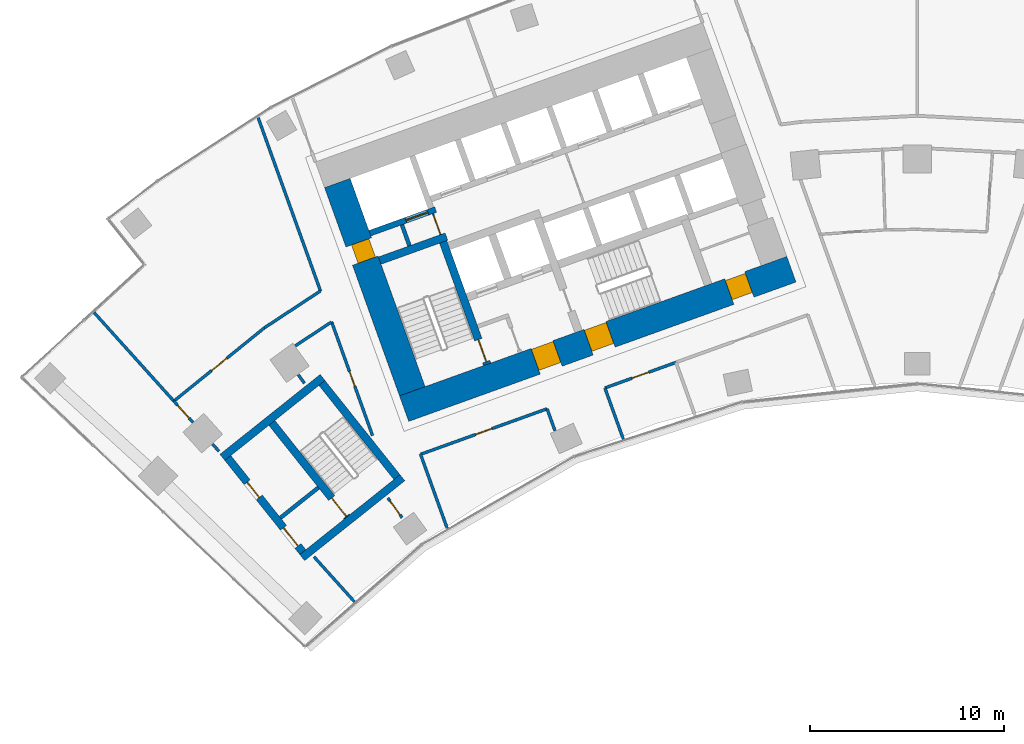
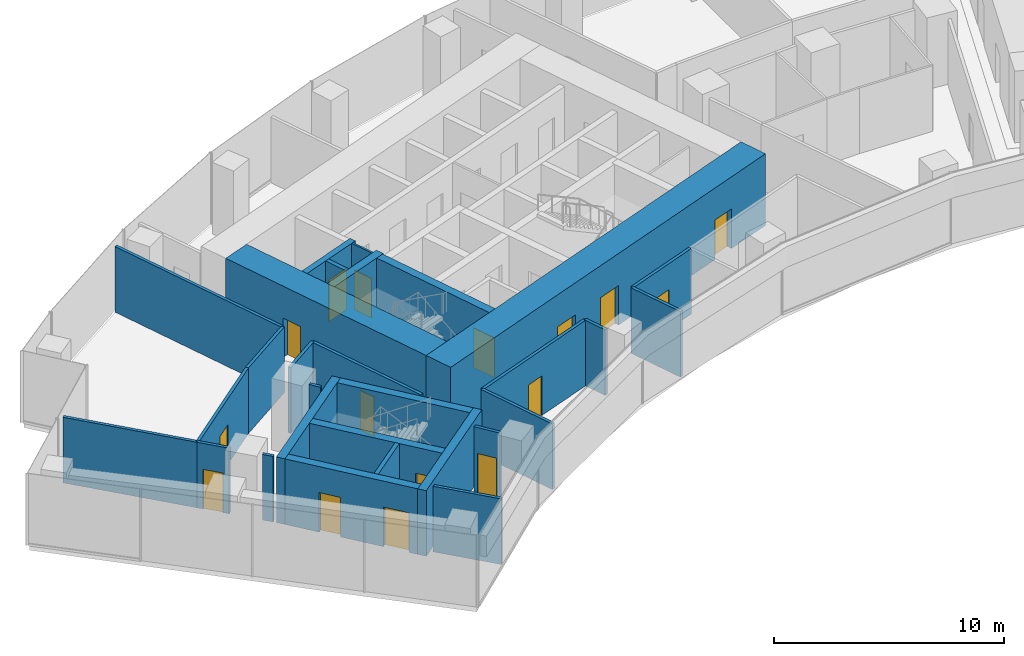
# One storey, part 12 of 19: 29 walls, 16 doors, 16 openings.
"""IFC4 building model written with IfcOpenShell, lengths in metres."""

from ifc_helpers import new_model, si_unit, direction, frame, frame_2d, origin, place, context, subcontext, project, spatial, rectangle, extrude, material, layer, layer_set, type_object, element, fill, save


model = new_model("IFC4")

# Units and contexts
model_context = context("Model", 3, precision=1e-05, world=origin(), true_north=direction((0.0, 1.0)))
body_context = subcontext(model_context, "Body", "Model", "MODEL_VIEW")
ifc_project = project(units=[si_unit("LENGTHUNIT", "METRE"), si_unit("AREAUNIT", "SQUARE_METRE"), si_unit("VOLUMEUNIT", "CUBIC_METRE"), si_unit("PLANEANGLEUNIT", "RADIAN"), si_unit("MASSUNIT", "GRAM", prefix="KILO")], contexts=[model_context])

# Site, building, storey
site_placement = place(None, origin())
site = spatial("IfcSite", under=ifc_project, at=site_placement, CompositionType="ELEMENT")
building_placement = place(site_placement, origin())
building = spatial("IfcBuilding", under=site, at=building_placement, Name="Stone Belt Terrace Tower", CompositionType="ELEMENT")
storey_placement = place(building_placement, frame((0.0, 0.0, 128.800048828125)))
storey = spatial("IfcBuildingStorey", under=building, at=storey_placement, Name="L31", CompositionType="ELEMENT", Elevation=128.800048828125)

# Wall, opening, door
ifc_material_1 = material(Name="Plasterboard partition")
ifc_layer_1 = layer(ifc_material_1, 0.10009765625)
ifc_layer_set_1 = layer_set([ifc_layer_1], Name="Core partition 100")
wall_type_1 = type_object("IfcWallType", Name="Core partition 100", PredefinedType="PARTITIONING", material=ifc_layer_set_1)
wall_1_placement = place(storey_placement, frame((-24.555908203125, 51.10400390625, 0.0), z_axis=(0.0, 0.0, 1.0), x_axis=(-0.338621735342, 0.94092258999, 0.0)))
wall_1 = element("IfcWall", 1, at=wall_1_placement, inside=storey, type_object=wall_type_1, Name="Core A wall", PredefinedType="PARTITIONING", context=body_context, shape_type="SweptSolid", body=[
    extrude(rectangle(XDim=1.14990234375, YDim=0.10009765625, at=frame_2d((0.574951171875, 0.0))), origin(), (0.0, 0.0, 1.0), 3.47998046875),
])
opening_1_placement = place(wall_1_placement, frame((0.050048828125, 0.0, 0.0)))
opening_1 = element("IfcOpeningElement", 2, at=opening_1_placement, cuts=wall_1, Name="Opening L31-C02", PredefinedType="OPENING", context=body_context, shape_type="SweptSolid", body=[
    extrude(rectangle(XDim=1.0, YDim=2.10009765625, at=frame_2d((0.5, 1.050048828125))), frame((0.0, 0.06005859375, 0.0), z_axis=(0.0, -1.0, 0.0), x_axis=(1.0, 0.0, 0.0)), (0.0, 0.0, 1.0), 0.1201171875),
])
ifc_material_2 = material(Name="Timber door leaf", Category="wood")
door_type_1 = type_object("IfcDoorType", Name="Core room door 1000", OperationType="SINGLE_SWING_LEFT", PredefinedType="DOOR", material=ifc_material_2)
door_1_placement = place(opening_1_placement, origin())
door_1 = element("IfcDoor", 3, at=door_1_placement, inside=storey, type_object=door_type_1, Name="Service lift lobby door core A", OperationType="SINGLE_SWING_LEFT", OverallHeight=2.10009765625, OverallWidth=1.0, PredefinedType="DOOR", context=body_context, shape_type="SweptSolid", body=[
    extrude(rectangle(XDim=1.0, YDim=2.10009765625, at=frame_2d((0.5, 1.050048828125))), frame((0.0, 0.02490234375, 0.0), z_axis=(0.0, -1.0, 0.0), x_axis=(1.0, 0.0, 0.0)), (0.0, 0.0, 1.0), 0.050048828125),
])
fill(opening_1, door_1)

# Wall, openings, doors
ifc_material_3 = material(Name="Concrete B80", Category="concrete")
ifc_layer_2 = layer(ifc_material_3, 1.39990234375)
ifc_layer_set_2 = layer_set([ifc_layer_2], Name="Core wall 1400 B80")
wall_type_2 = type_object("IfcWallType", Name="Core wall 1400 B80", PredefinedType="SHEAR", material=ifc_layer_set_2)
wall_2_placement = place(storey_placement, frame((-26.430908203125, 42.139404296875, 0.0), z_axis=(0.0, 0.0, 1.0), x_axis=(0.940923374003, 0.33861955681, 0.0)))
wall_2 = element("IfcWall", 4, at=wall_2_placement, inside=storey, type_object=wall_type_2, Name="Core A wall concave L31", PredefinedType="SHEAR", context=body_context, shape_type="SweptSolid", body=[
    extrude(rectangle(XDim=21.199951171875, YDim=1.39990234375, at=frame_2d((10.60009765625, 0.0))), origin(), (0.0, 0.0, 1.0), 3.800048828125),
])
opening_2_placement = place(wall_2_placement, frame((7.199951171875, 0.0, 0.0)))
opening_2 = element("IfcOpeningElement", 5, at=opening_2_placement, cuts=wall_2, Name="Opening L31-C07", PredefinedType="OPENING", context=body_context, shape_type="SweptSolid", body=[
    extrude(rectangle(XDim=1.199951171875, YDim=2.10009765625, at=frame_2d((0.60009765625, 1.050048828125))), frame((0.0, 0.7099609375, 0.0), z_axis=(0.0, -1.0, 0.0), x_axis=(1.0, 0.0, 0.0)), (0.0, 0.0, 1.0), 1.419921875),
])
opening_3_placement = place(wall_2_placement, frame((10.099853515625, 0.0, 0.0)))
opening_3 = element("IfcOpeningElement", 6, at=opening_3_placement, cuts=wall_2, Name="Opening L31-C09", PredefinedType="OPENING", context=body_context, shape_type="SweptSolid", body=[
    extrude(rectangle(XDim=1.199951171875, YDim=2.10009765625, at=frame_2d((0.60009765625, 1.050048828125))), frame((0.0, 0.7099609375, 0.0), z_axis=(0.0, -1.0, 0.0), x_axis=(1.0, 0.0, 0.0)), (0.0, 0.0, 1.0), 1.419921875),
])
opening_4_placement = place(wall_2_placement, frame((17.800048828125, 0.0, 0.0)))
opening_4 = element("IfcOpeningElement", 7, at=opening_4_placement, cuts=wall_2, Name="Opening L31-C11", PredefinedType="OPENING", context=body_context, shape_type="SweptSolid", body=[
    extrude(rectangle(XDim=1.10009765625, YDim=2.10009765625, at=frame_2d((0.550048828125, 1.050048828125))), frame((0.0, 0.7099609375, 0.0), z_axis=(0.0, -1.0, 0.0), x_axis=(1.0, 0.0, 0.0)), (0.0, 0.0, 1.0), 1.419921875),
])
door_type_2 = type_object("IfcDoorType", Name="Core room door 1100", OperationType="SINGLE_SWING_LEFT", PredefinedType="DOOR", material=ifc_material_2)
door_2_placement = place(opening_4_placement, origin())
door_2 = element("IfcDoor", 8, at=door_2_placement, inside=storey, type_object=door_type_2, Name="Door to Cleaner's store core A", OperationType="SINGLE_SWING_LEFT", OverallHeight=2.10009765625, OverallWidth=1.10009765625, PredefinedType="DOOR", context=body_context, shape_type="SweptSolid", body=[
    extrude(rectangle(XDim=1.10009765625, YDim=2.10009765625, at=frame_2d((0.550048828125, 1.050048828125))), frame((0.0, 0.60498046875, 0.0), z_axis=(0.0, -1.0, 0.0), x_axis=(1.0, 0.0, 0.0)), (0.0, 0.0, 1.0), 1.050048828125),
])
fill(opening_4, door_2)
ifc_material_4 = material(Name="Steel door leaf", Category="steel")
door_type_3 = type_object("IfcDoorType", Name="Fire-fighting lobby door 1200", OperationType="SINGLE_SWING_LEFT", PredefinedType="DOOR", material=ifc_material_4)
door_3_placement = place(opening_2_placement, origin())
door_3 = element("IfcDoor", 9, at=door_3_placement, inside=storey, type_object=door_type_3, Name="Fire-fighting lobby door core A", OperationType="SINGLE_SWING_LEFT", OverallHeight=2.10009765625, OverallWidth=1.199951171875, PredefinedType="DOOR", context=body_context, shape_type="SweptSolid", body=[
    extrude(rectangle(XDim=1.199951171875, YDim=2.10009765625, at=frame_2d((0.60009765625, 1.050048828125))), frame((0.0, 0.655029296875, 0.0), z_axis=(0.0, -1.0, 0.0), x_axis=(1.0, 0.0, 0.0)), (0.0, 0.0, 1.0), 1.14990234375),
])
fill(opening_2, door_3)
door_type_4 = type_object("IfcDoorType", Name="Stair door 1200", OperationType="SINGLE_SWING_LEFT", PredefinedType="DOOR", material=ifc_material_4)
door_4_placement = place(opening_3_placement, origin())
door_4 = element("IfcDoor", 10, at=door_4_placement, inside=storey, type_object=door_type_4, Name="Stair 2 exit door core A", OperationType="SINGLE_SWING_RIGHT", OverallHeight=2.10009765625, OverallWidth=1.199951171875, PredefinedType="DOOR", context=body_context, shape_type="SweptSolid", body=[
    extrude(rectangle(XDim=1.199951171875, YDim=2.10009765625, at=frame_2d((0.60009765625, 1.050048828125))), frame((0.0, 0.655029296875, 0.0), z_axis=(0.0, -1.0, 0.0), x_axis=(1.0, 0.0, 0.0)), (0.0, 0.0, 1.0), 1.14990234375),
])
fill(opening_3, door_4)

# Wall, opening, door
wall_3_placement = place(storey_placement, frame((-26.00927734375, 43.03515625, 0.0), z_axis=(0.0, 0.0, 1.0), x_axis=(-0.338625431531, 0.940921259788, 0.0)))
wall_3 = element("IfcWall", 11, at=wall_3_placement, inside=storey, type_object=wall_type_2, Name="Core A wall end_a L31", PredefinedType="SHEAR", context=body_context, shape_type="SweptSolid", body=[
    extrude(rectangle(XDim=11.400146484375, YDim=1.39990234375, at=frame_2d((5.7001953125, 0.0))), origin(), (0.0, 0.0, 1.0), 3.800048828125),
])
opening_5_placement = place(wall_3_placement, frame((7.14990234375, 0.0, 0.0)))
opening_5 = element("IfcOpeningElement", 12, at=opening_5_placement, cuts=wall_3, Name="Opening L31-C01", PredefinedType="OPENING", context=body_context, shape_type="SweptSolid", body=[
    extrude(rectangle(XDim=1.0, YDim=2.10009765625, at=frame_2d((0.5, 1.050048828125))), frame((0.0, 0.7099609375, 0.0), z_axis=(0.0, -1.0, 0.0), x_axis=(1.0, 0.0, 0.0)), (0.0, 0.0, 1.0), 1.419921875),
])
door_5_placement = place(opening_5_placement, origin())
door_5 = element("IfcDoor", 13, at=door_5_placement, inside=storey, type_object=door_type_1, Name="Door to Telecommunications riser room core A", OperationType="SINGLE_SWING_RIGHT", OverallHeight=2.10009765625, OverallWidth=1.0, PredefinedType="DOOR", context=body_context, shape_type="SweptSolid", body=[
    extrude(rectangle(XDim=1.0, YDim=2.10009765625, at=frame_2d((0.5, 1.050048828125))), frame((0.0, 0.39501953125, 0.0), z_axis=(0.0, -1.0, 0.0), x_axis=(1.0, 0.0, 0.0)), (0.0, 0.0, 1.0), 0.949951171875),
])
fill(opening_5, door_5)

ifc_layer_3 = layer(ifc_material_3, 0.300048828125)
ifc_layer_set_3 = layer_set([ifc_layer_3], Name="Lift shaft wall 300")
wall_type_3 = type_object("IfcWallType", Name="Lift shaft wall 300", PredefinedType="SHEAR", material=ifc_layer_set_3)
wall_4_placement = place(storey_placement, frame((-28.195068359375, 51.17578125, 0.0), z_axis=(0.0, 0.0, 1.0), x_axis=(0.940901243567, 0.338681044427, 0.0)))
wall_4 = element("IfcWall", 14, at=wall_4_placement, inside=storey, type_object=wall_type_3, Name="Core A wall", PredefinedType="SHEAR", context=body_context, shape_type="SweptSolid", body=[
    extrude(rectangle(XDim=3.599853515625, YDim=0.300048828125, at=frame_2d((1.7998046875, 0.0))), origin(), (0.0, 0.0, 1.0), 3.47998046875),
])
opening_6_placement = place(wall_4_placement, frame((1.969970703125, 0.0, 0.0)))
opening_6 = element("IfcOpeningElement", 15, at=opening_6_placement, cuts=wall_4, Name="Opening L31-LD09", PredefinedType="OPENING", context=body_context, shape_type="SweptSolid", body=[
    extrude(rectangle(XDim=1.199951171875, YDim=2.199951171875, at=frame_2d((0.60009765625, 1.10009765625))), frame((0.0, 0.159912109375, 0.0), z_axis=(0.0, -1.0, 0.0), x_axis=(1.0, 0.0, 0.0)), (0.0, 0.0, 1.0), 0.320068359375),
])
ifc_material_5 = material(Name="Stainless steel door leaf", Category="steel")
door_type_5 = type_object("IfcDoorType", Name="Landing door 1200", OperationType="SLIDING_TO_LEFT", PredefinedType="DOOR", material=ifc_material_5)
door_6_placement = place(opening_6_placement, origin())
door_6 = element("IfcDoor", 16, at=door_6_placement, inside=storey, type_object=door_type_5, Name="Landing door SV1 core A", OperationType="SLIDING_TO_LEFT", OverallHeight=2.199951171875, OverallWidth=1.199951171875, PredefinedType="DOOR", context=body_context, shape_type="SweptSolid", body=[
    extrude(rectangle(XDim=1.199951171875, YDim=2.199951171875, at=frame_2d((0.60009765625, 1.10009765625))), frame((0.0, 0.02490234375, 0.0), z_axis=(0.0, -1.0, 0.0), x_axis=(1.0, 0.0, 0.0)), (0.0, 0.0, 1.0), 0.050048828125),
])
fill(opening_6, door_6)

# Wall
ifc_material_6 = material(Name="Gypsum board partition")
ifc_layer_4 = layer(ifc_material_6, 0.14990234375)
ifc_layer_set_4 = layer_set([ifc_layer_4], Name="PARTITION 150 EI 60")
wall_type_4 = type_object("IfcWallType", Name="PARTITION 150 EI 60", PredefinedType="PARTITIONING", material=ifc_layer_set_4)
wall_5_placement = place(storey_placement, frame((-25.5859375, 39.79296875, 0.0), z_axis=(0.0, 0.0, 1.0), x_axis=(0.338542603355, -0.940951064463, 0.0)))
element("IfcWall", 17, at=wall_5_placement, inside=storey, type_object=wall_type_4, Name="L31/wall/i001", PredefinedType="PARTITIONING", context=body_context, shape_type="SweptSolid", body=[
    extrude(rectangle(XDim=4.05712890625, YDim=0.14990234375, at=frame_2d((2.028564453125, 0.0))), origin(), (0.0, 0.0, 1.0), 3.47998046875),
])

# Wall, opening, door
wall_6_placement = place(storey_placement, frame((-28.05810546875, 40.75390625, 0.0), z_axis=(0.0, 0.0, 1.0), x_axis=(-0.338523697563, 0.94095786632, 0.0)))
wall_6 = element("IfcWall", 18, at=wall_6_placement, inside=storey, type_object=wall_type_4, Name="L31/wall/i003", PredefinedType="PARTITIONING", context=body_context, shape_type="SweptSolid", body=[
    extrude(rectangle(XDim=6.226806640625, YDim=0.14990234375, at=frame_2d((3.11328125, 0.0))), origin(), (0.0, 0.0, 1.0), 3.47998046875),
])
opening_7_placement = place(wall_6_placement, frame((2.71337890625, 0.0, 0.0)))
opening_7 = element("IfcOpeningElement", 19, at=opening_7_placement, cuts=wall_6, Name="Opening D-B5-13", PredefinedType="OPENING", context=body_context, shape_type="SweptSolid", body=[
    extrude(rectangle(XDim=0.800048828125, YDim=2.10009765625, at=frame_2d((0.39990234375, 1.050048828125))), frame((0.0, 0.0849609375, 0.0), z_axis=(0.0, -1.0, 0.0), x_axis=(1.0, 0.0, 0.0)), (0.0, 0.0, 1.0), 0.169921875),
])
door_type_6 = type_object("IfcDoorType", Name="STORE DOOR 800 X 2100", OperationType="NOTDEFINED", PredefinedType="DOOR", material=ifc_material_2)
door_7_placement = place(opening_7_placement, origin())
door_7 = element("IfcDoor", 20, at=door_7_placement, inside=storey, type_object=door_type_6, Name="L31/door/i13", OperationType="SINGLE_SWING_RIGHT", OverallHeight=2.10009765625, OverallWidth=0.800048828125, PredefinedType="DOOR", context=body_context, shape_type="SweptSolid", body=[
    extrude(rectangle(XDim=0.800048828125, YDim=2.10009765625, at=frame_2d((0.39990234375, 1.050048828125))), frame((0.0, 0.02490234375, 0.0), z_axis=(0.0, -1.0, 0.0), x_axis=(1.0, 0.0, 0.0)), (0.0, 0.0, 1.0), 0.050048828125),
])
fill(opening_7, door_7)

wall_7_placement = place(storey_placement, frame((-26.534912109375, 36.52294921875, 0.0), z_axis=(0.0, 0.0, 1.0), x_axis=(-0.58822969918, 0.80869389821, 0.0)))
wall_7 = element("IfcWall", 21, at=wall_7_placement, inside=storey, type_object=wall_type_4, Name="L31/wall/i004", PredefinedType="PARTITIONING", context=body_context, shape_type="SweptSolid", body=[
    extrude(rectangle(XDim=1.25146484375, YDim=0.14990234375, at=frame_2d((0.625732421875, 0.0))), origin(), (0.0, 0.0, 1.0), 3.47998046875),
])
opening_8_placement = place(wall_7_placement, frame((0.17578125, 0.0, 0.0)))
opening_8 = element("IfcOpeningElement", 22, at=opening_8_placement, cuts=wall_7, Name="Opening D-B5-14", PredefinedType="OPENING", context=body_context, shape_type="SweptSolid", body=[
    extrude(rectangle(XDim=0.89990234375, YDim=2.10009765625, at=frame_2d((0.449951171875, 1.050048828125))), frame((0.0, 0.0849609375, 0.0), z_axis=(0.0, -1.0, 0.0), x_axis=(1.0, 0.0, 0.0)), (0.0, 0.0, 1.0), 0.169921875),
])
ifc_material_7 = material(Name="Timber fire door leaf", Category="wood")
door_type_7 = type_object("IfcDoorType", Name="TENANCY ENTRANCE DOOR 900 X 2100", OperationType="NOTDEFINED", PredefinedType="DOOR", material=ifc_material_7)
door_8_placement = place(opening_8_placement, origin())
door_8 = element("IfcDoor", 23, at=door_8_placement, inside=storey, type_object=door_type_7, Name="L31/door/i14", OperationType="SINGLE_SWING_RIGHT", OverallHeight=2.10009765625, OverallWidth=0.89990234375, PredefinedType="DOOR", context=body_context, shape_type="SweptSolid", body=[
    extrude(rectangle(XDim=0.89990234375, YDim=2.10009765625, at=frame_2d((0.449951171875, 1.050048828125))), frame((0.0, 0.02490234375, 0.0), z_axis=(0.0, -1.0, 0.0), x_axis=(1.0, 0.0, 0.0)), (0.0, 0.0, 1.0), 0.050048828125),
])
fill(opening_8, door_8)

# Walls
wall_8_placement = place(storey_placement, frame((-30.737060546875, 48.197021484375, 0.0), z_axis=(0.0, 0.0, 1.0), x_axis=(-0.338586530295, 0.940935258933, 0.0)))
element("IfcWall", 24, at=wall_8_placement, inside=storey, type_object=wall_type_4, Name="L31/wall/i005", PredefinedType="PARTITIONING", context=body_context, shape_type="SweptSolid", body=[
    extrude(rectangle(XDim=9.494873046875, YDim=0.14990234375, at=frame_2d((4.74755859375, 0.0))), origin(), (0.0, 0.0, 1.0), 3.47998046875),
])
wall_9_placement = place(storey_placement, frame((-18.6611328125, 41.0048828125, 0.0), z_axis=(0.0, 0.0, 1.0), x_axis=(-0.338560385622, 0.940944666432, 0.0)))
element("IfcWall", 25, at=wall_9_placement, inside=storey, type_object=wall_type_4, Name="L31/wall/i011", PredefinedType="PARTITIONING", context=body_context, shape_type="SweptSolid", body=[
    extrude(rectangle(XDim=1.195556640625, YDim=0.14990234375, at=frame_2d((0.59765625, 0.0))), origin(), (0.0, 0.0, 1.0), 3.47998046875),
])

# Wall, opening, door
wall_10_placement = place(storey_placement, frame((-19.069091796875, 42.131103515625, 0.0), z_axis=(0.0, 0.0, 1.0), x_axis=(-0.940934157929, -0.338589589981, 0.0)))
wall_10 = element("IfcWall", 26, at=wall_10_placement, inside=storey, type_object=wall_type_4, Name="L31/wall/i012", PredefinedType="PARTITIONING", context=body_context, shape_type="SweptSolid", body=[
    extrude(rectangle(XDim=6.9228515625, YDim=0.14990234375, at=frame_2d((3.46142578125, 0.0))), origin(), (0.0, 0.0, 1.0), 3.47998046875),
])
opening_9_placement = place(wall_10_placement, frame((3.011474609375, 0.0, 0.0)))
opening_9 = element("IfcOpeningElement", 27, at=opening_9_placement, cuts=wall_10, Name="Opening D-B5-01", PredefinedType="OPENING", context=body_context, shape_type="SweptSolid", body=[
    extrude(rectangle(XDim=0.89990234375, YDim=2.10009765625, at=frame_2d((0.449951171875, 1.050048828125))), frame((0.0, 0.0849609375, 0.0), z_axis=(0.0, -1.0, 0.0), x_axis=(1.0, 0.0, 0.0)), (0.0, 0.0, 1.0), 0.169921875),
])
door_type_8 = type_object("IfcDoorType", Name="OFFICE DOOR 900 X 2100", OperationType="NOTDEFINED", PredefinedType="DOOR", material=ifc_material_2)
door_9_placement = place(opening_9_placement, origin())
door_9 = element("IfcDoor", 28, at=door_9_placement, inside=storey, type_object=door_type_8, Name="L31/door/i01", OperationType="SINGLE_SWING_RIGHT", OverallHeight=2.10009765625, OverallWidth=0.89990234375, PredefinedType="DOOR", context=body_context, shape_type="SweptSolid", body=[
    extrude(rectangle(XDim=0.89990234375, YDim=2.10009765625, at=frame_2d((0.449951171875, 1.050048828125))), frame((0.0, 0.02490234375, 0.0), z_axis=(0.0, -1.0, 0.0), x_axis=(1.0, 0.0, 0.0)), (0.0, 0.0, 1.0), 0.050048828125),
])
fill(opening_9, door_9)

wall_11_placement = place(storey_placement, frame((-12.4208984375, 44.52392578125, 0.0), z_axis=(0.0, 0.0, 1.0), x_axis=(-0.940962479026, -0.338510875846, 0.0)))
wall_11 = element("IfcWall", 29, at=wall_11_placement, inside=storey, type_object=wall_type_4, Name="L31/wall/i013", PredefinedType="PARTITIONING", context=body_context, shape_type="SweptSolid", body=[
    extrude(rectangle(XDim=3.89599609375, YDim=0.14990234375, at=frame_2d((1.947998046875, 0.0))), origin(), (0.0, 0.0, 1.0), 3.47998046875),
])
opening_10_placement = place(wall_11_placement, frame((1.498046875, 0.0, 0.0)))
opening_10 = element("IfcOpeningElement", 30, at=opening_10_placement, cuts=wall_11, Name="Opening D-B5-02", PredefinedType="OPENING", context=body_context, shape_type="SweptSolid", body=[
    extrude(rectangle(XDim=0.89990234375, YDim=2.10009765625, at=frame_2d((0.449951171875, 1.050048828125))), frame((0.0, 0.0849609375, 0.0), z_axis=(0.0, -1.0, 0.0), x_axis=(1.0, 0.0, 0.0)), (0.0, 0.0, 1.0), 0.169921875),
])
door_10_placement = place(opening_10_placement, origin())
door_10 = element("IfcDoor", 31, at=door_10_placement, inside=storey, type_object=door_type_8, Name="L31/door/i02", OperationType="SINGLE_SWING_RIGHT", OverallHeight=2.10009765625, OverallWidth=0.89990234375, PredefinedType="DOOR", context=body_context, shape_type="SweptSolid", body=[
    extrude(rectangle(XDim=0.89990234375, YDim=2.10009765625, at=frame_2d((0.449951171875, 1.050048828125))), frame((0.0, 0.02490234375, 0.0), z_axis=(0.0, -1.0, 0.0), x_axis=(1.0, 0.0, 0.0)), (0.0, 0.0, 1.0), 0.050048828125),
])
fill(opening_10, door_10)

# Wall
wall_12_placement = place(storey_placement, frame((-16.087890625, 43.201904296875, 0.0), z_axis=(0.0, 0.0, 1.0), x_axis=(0.338645330033, -0.940914098336, 0.0)))
element("IfcWall", 32, at=wall_12_placement, inside=storey, type_object=wall_type_4, Name="L31/wall/i014", PredefinedType="PARTITIONING", context=body_context, shape_type="SweptSolid", body=[
    extrude(rectangle(XDim=2.798583984375, YDim=0.14990234375, at=frame_2d((1.3994140625, 0.0))), origin(), (0.0, 0.0, 1.0), 3.47998046875),
])

# Wall, opening, door
wall_13_placement = place(storey_placement, frame((-37.3076171875, 41.433837890625, 0.0), z_axis=(0.0, 0.0, 1.0), x_axis=(-0.669238977833, 0.743047233054, 0.0)))
wall_13 = element("IfcWall", 33, at=wall_13_placement, inside=storey, type_object=wall_type_4, Name="L31/wall/i036", PredefinedType="PARTITIONING", context=body_context, shape_type="SweptSolid", body=[
    extrude(rectangle(XDim=1.475341796875, YDim=0.14990234375, at=frame_2d((0.73779296875, 0.0))), origin(), (0.0, 0.0, 1.0), 3.47998046875),
])
opening_11_placement = place(wall_13_placement, frame((0.28759765625, 0.0, 0.0)))
opening_11 = element("IfcOpeningElement", 34, at=opening_11_placement, cuts=wall_13, Name="Opening D-B5-12", PredefinedType="OPENING", context=body_context, shape_type="SweptSolid", body=[
    extrude(rectangle(XDim=0.89990234375, YDim=2.10009765625, at=frame_2d((0.449951171875, 1.050048828125))), frame((0.0, 0.0849609375, 0.0), z_axis=(0.0, -1.0, 0.0), x_axis=(1.0, 0.0, 0.0)), (0.0, 0.0, 1.0), 0.169921875),
])
door_11_placement = place(opening_11_placement, origin())
door_11 = element("IfcDoor", 35, at=door_11_placement, inside=storey, type_object=door_type_7, Name="L31/door/i12", OperationType="SINGLE_SWING_RIGHT", OverallHeight=2.10009765625, OverallWidth=0.89990234375, PredefinedType="DOOR", context=body_context, shape_type="SweptSolid", body=[
    extrude(rectangle(XDim=0.89990234375, YDim=2.10009765625, at=frame_2d((0.449951171875, 1.050048828125))), frame((0.0, 0.02490234375, 0.0), z_axis=(0.0, -1.0, 0.0), x_axis=(1.0, 0.0, 0.0)), (0.0, 0.0, 1.0), 0.050048828125),
])
fill(opening_11, door_11)

# Walls
wall_14_placement = place(storey_placement, frame((-36.297119140625, 40.311767578125, 0.0), z_axis=(0.0, 0.0, 1.0), x_axis=(0.669100229536, -0.743172175768, 0.0)))
element("IfcWall", 36, at=wall_14_placement, inside=storey, type_object=wall_type_4, Name="L31/wall/i037", PredefinedType="PARTITIONING", context=body_context, shape_type="SweptSolid", body=[
    extrude(rectangle(XDim=0.497802734375, YDim=0.14990234375, at=frame_2d((0.2490234375, 0.0))), origin(), (0.0, 0.0, 1.0), 3.47998046875),
])
wall_15_placement = place(storey_placement, frame((-31.071044921875, 34.507080078125, 0.0), z_axis=(0.0, 0.0, 1.0), x_axis=(0.669060096377, -0.743208306894, 0.0)))
element("IfcWall", 37, at=wall_15_placement, inside=storey, type_object=wall_type_4, Name="L31/wall/i038", PredefinedType="PARTITIONING", context=body_context, shape_type="SweptSolid", body=[
    extrude(rectangle(XDim=3.111572265625, YDim=0.14990234375, at=frame_2d((1.5556640625, 0.0))), origin(), (0.0, 0.0, 1.0), 3.47998046875),
])
wall_16_placement = place(storey_placement, frame((-42.39501953125, 47.084228515625, 0.0), z_axis=(0.0, 0.0, 1.0), x_axis=(0.669054797939, -0.743213076684, 0.0)))
element("IfcWall", 38, at=wall_16_placement, inside=storey, type_object=wall_type_4, Name="L31/wall/i039", PredefinedType="PARTITIONING", context=body_context, shape_type="SweptSolid", body=[
    extrude(rectangle(XDim=6.139892578125, YDim=0.14990234375, at=frame_2d((3.06982421875, 0.0))), origin(), (0.0, 0.0, 1.0), 3.47998046875),
])
wall_17_placement = place(storey_placement, frame((-30.1650390625, 46.60595703125, 0.0), z_axis=(0.0, 0.0, 1.0), x_axis=(-0.835442130402, -0.549578426386, 0.0)))
element("IfcWall", 39, at=wall_17_placement, inside=storey, type_object=wall_type_4, Name="L31/wall/i040", PredefinedType="PARTITIONING", context=body_context, shape_type="SweptSolid", body=[
    extrude(rectangle(XDim=2.237548828125, YDim=0.14990234375, at=frame_2d((1.11865234375, 0.0))), origin(), (0.0, 0.0, 1.0), 3.47998046875),
])
wall_18_placement = place(storey_placement, frame((-31.88427734375, 43.88525390625, 0.0), z_axis=(0.0, 0.0, 1.0), x_axis=(0.588064762831, -0.808813844291, 0.0)))
element("IfcWall", 40, at=wall_18_placement, inside=storey, type_object=wall_type_4, Name="L31/wall/i041", PredefinedType="PARTITIONING", context=body_context, shape_type="SweptSolid", body=[
    extrude(rectangle(XDim=0.54296875, YDim=0.14990234375, at=frame_2d((0.271484375, 0.0))), origin(), (0.0, 0.0, 1.0), 3.47998046875),
])

# Wall, opening, door
wall_19_placement = place(storey_placement, frame((-38.2900390625, 42.527099609375, 0.0), z_axis=(0.0, 0.0, 1.0), x_axis=(0.77714422733, 0.629322532513, 0.0)))
wall_19 = element("IfcWall", 41, at=wall_19_placement, inside=storey, type_object=wall_type_4, Name="L31/wall/i042", PredefinedType="PARTITIONING", context=body_context, shape_type="SweptSolid", body=[
    extrude(rectangle(XDim=5.98876953125, YDim=0.14990234375, at=frame_2d((2.994384765625, 0.0))), origin(), (0.0, 0.0, 1.0), 3.47998046875),
])
opening_12_placement = place(wall_19_placement, frame((2.494384765625, 0.0, 0.0)))
opening_12 = element("IfcOpeningElement", 42, at=opening_12_placement, cuts=wall_19, Name="Opening D-B5-15", PredefinedType="OPENING", context=body_context, shape_type="SweptSolid", body=[
    extrude(rectangle(XDim=1.0, YDim=2.10009765625, at=frame_2d((0.5, 1.050048828125))), frame((0.0, 0.0849609375, 0.0), z_axis=(0.0, -1.0, 0.0), x_axis=(1.0, 0.0, 0.0)), (0.0, 0.0, 1.0), 0.169921875),
])
door_type_9 = type_object("IfcDoorType", Name="TENANCY ENTRANCE DOOR 1000 X 2100", OperationType="NOTDEFINED", PredefinedType="DOOR", material=ifc_material_7)
door_12_placement = place(opening_12_placement, origin())
door_12 = element("IfcDoor", 43, at=door_12_placement, inside=storey, type_object=door_type_9, Name="L31/door/i15", OperationType="SINGLE_SWING_RIGHT", OverallHeight=2.10009765625, OverallWidth=1.0, PredefinedType="DOOR", context=body_context, shape_type="SweptSolid", body=[
    extrude(rectangle(XDim=1.0, YDim=2.10009765625, at=frame_2d((0.5, 1.050048828125))), frame((0.0, 0.02490234375, 0.0), z_axis=(0.0, -1.0, 0.0), x_axis=(1.0, 0.0, 0.0)), (0.0, 0.0, 1.0), 0.050048828125),
])
fill(opening_12, door_12)

# Walls
wall_20_placement = place(storey_placement, frame((-33.635986328125, 46.2958984375, 0.0), z_axis=(0.0, 0.0, 1.0), x_axis=(0.835274160171, 0.549833681535, 0.0)))
element("IfcWall", 44, at=wall_20_placement, inside=storey, type_object=wall_type_4, Name="L31/wall/i043", PredefinedType="PARTITIONING", context=body_context, shape_type="SweptSolid", body=[
    extrude(rectangle(XDim=3.46826171875, YDim=0.14990234375, at=frame_2d((1.734130859375, 0.0))), origin(), (0.0, 0.0, 1.0), 3.47998046875),
])
ifc_material_8 = material(Name="Concrete masonry block", Category="masonry")
ifc_layer_5 = layer(ifc_material_8, 0.199951171875)
ifc_layer_set_5 = layer_set([ifc_layer_5], Name="Rated lobby wall 200")
wall_type_5 = type_object("IfcWallType", Name="Rated lobby wall 200", PredefinedType="PARTITIONING", material=ifc_layer_set_5)
wall_21_placement = place(storey_placement, frame((-26.1552734375, 50.5283203125, 0.0), z_axis=(0.0, 0.0, 1.0), x_axis=(-0.338621735342, 0.94092258999, 0.0)))
element("IfcWall", 45, at=wall_21_placement, inside=storey, type_object=wall_type_5, Name="Core A wall", PredefinedType="PARTITIONING", context=body_context, shape_type="SweptSolid", body=[
    extrude(rectangle(XDim=1.14990234375, YDim=0.199951171875, at=frame_2d((0.574951171875, 0.0))), origin(), (0.0, 0.0, 1.0), 3.47998046875),
])
wall_22_placement = place(storey_placement, frame((-30.845703125, 38.074951171875, 0.0), z_axis=(0.0, 0.0, 1.0), x_axis=(-0.782115323833, -0.623133709749, 0.0)))
element("IfcWall", 46, at=wall_22_placement, inside=storey, type_object=wall_type_5, Name="Exit stair ST3A wall", PredefinedType="PARTITIONING", context=body_context, shape_type="SweptSolid", body=[
    extrude(rectangle(XDim=2.5, YDim=0.199951171875, at=frame_2d((1.25, 0.0))), origin(), (0.0, 0.0, 1.0), 3.47998046875),
])
ifc_layer_6 = layer(ifc_material_3, 0.39990234375)
ifc_layer_set_6 = layer_set([ifc_layer_6], Name="Stair enclosure wall 400")
wall_type_6 = type_object("IfcWallType", Name="Stair enclosure wall 400", PredefinedType="SHEAR", material=ifc_layer_set_6)
wall_23_placement = place(storey_placement, frame((-27.687255859375, 49.764404296875, 0.0), z_axis=(0.0, 0.0, 1.0), x_axis=(0.940918954884, 0.338631835981, 0.0)))
element("IfcWall", 47, at=wall_23_placement, inside=storey, type_object=wall_type_6, Name="Core A wall", PredefinedType="SHEAR", context=body_context, shape_type="SweptSolid", body=[
    extrude(rectangle(XDim=3.650146484375, YDim=0.39990234375, at=frame_2d((1.8251953125, 0.0))), origin(), (0.0, 0.0, 1.0), 3.47998046875),
])

# Wall, opening, door
wall_24_placement = place(storey_placement, frame((-22.151611328125, 44.42333984375, 0.0), z_axis=(0.0, 0.0, 1.0), x_axis=(-0.338625272931, 0.940921316866, 0.0)))
wall_24 = element("IfcWall", 48, at=wall_24_placement, inside=storey, type_object=wall_type_6, Name="Core A wall", PredefinedType="SHEAR", context=body_context, shape_type="SweptSolid", body=[
    extrude(rectangle(XDim=6.699951171875, YDim=0.39990234375, at=frame_2d((3.35009765625, 0.0))), origin(), (0.0, 0.0, 1.0), 3.47998046875),
])
opening_13_placement = place(wall_24_placement, frame((0.14990234375, 0.0, 0.0)))
opening_13 = element("IfcOpeningElement", 49, at=opening_13_placement, cuts=wall_24, Name="Opening L31-C05", PredefinedType="OPENING", context=body_context, shape_type="SweptSolid", body=[
    extrude(rectangle(XDim=1.199951171875, YDim=2.10009765625, at=frame_2d((0.60009765625, 1.050048828125))), frame((0.0, 0.2099609375, 0.0), z_axis=(0.0, -1.0, 0.0), x_axis=(1.0, 0.0, 0.0)), (0.0, 0.0, 1.0), 0.419921875),
])
door_13_placement = place(opening_13_placement, origin())
door_13 = element("IfcDoor", 50, at=door_13_placement, inside=storey, type_object=door_type_4, Name="Stair 1 door core A", OperationType="SINGLE_SWING_LEFT", OverallHeight=2.10009765625, OverallWidth=1.199951171875, PredefinedType="DOOR", context=body_context, shape_type="SweptSolid", body=[
    extrude(rectangle(XDim=1.199951171875, YDim=2.10009765625, at=frame_2d((0.60009765625, 1.050048828125))), frame((0.0, 0.02490234375, 0.0), z_axis=(0.0, -1.0, 0.0), x_axis=(1.0, 0.0, 0.0)), (0.0, 0.0, 1.0), 0.050048828125),
])
fill(opening_13, door_13)

# Walls
for number, where, z_axis, x_axis, name in (
    (51, (-26.518798828125, 38.58154296875, 0.0), (0.0, 0.0, 1.0), (-0.782133914161, -0.623110375711, 0.0), "Exit stair ST3A wall"),
    (52, (-30.63134765625, 43.74365234375, 0.0), (0.0, 0.0, 1.0), (-0.782133914161, -0.623110375711, 0.0), "Exit stair ST3A wall"),
):
    element("IfcWall", number, at=place(storey_placement, frame(where, z_axis=z_axis, x_axis=x_axis)), inside=storey, type_object=wall_type_6, Name=name, PredefinedType="SHEAR", context=body_context, shape_type="SweptSolid", body=[
        extrude(rectangle(XDim=6.60009765625, YDim=0.39990234375, at=frame_2d((3.300048828125, 0.0))), origin(), (0.0, 0.0, 1.0), 3.47998046875),
    ])
wall_25_placement = place(storey_placement, frame((-26.7998046875, 38.61328125, 0.0), z_axis=(0.0, 0.0, 1.0), x_axis=(-0.623118653668, 0.782127319208, 0.0)))
element("IfcWall", 53, at=wall_25_placement, inside=storey, type_object=wall_type_6, Name="Exit stair ST3A wall", PredefinedType="SHEAR", context=body_context, shape_type="SweptSolid", body=[
    extrude(rectangle(XDim=6.199951171875, YDim=0.39990234375, at=frame_2d((3.10009765625, 0.0))), origin(), (0.0, 0.0, 1.0), 3.47998046875),
])

# Wall, openings, doors
wall_26_placement = place(storey_placement, frame((-31.64892578125, 34.75, 0.0), z_axis=(0.0, 0.0, 1.0), x_axis=(-0.623118653668, 0.782127319208, 0.0)))
wall_26 = element("IfcWall", 54, at=wall_26_placement, inside=storey, type_object=wall_type_6, Name="Exit stair ST3A wall", PredefinedType="SHEAR", context=body_context, shape_type="SweptSolid", body=[
    extrude(rectangle(XDim=6.199951171875, YDim=0.39990234375, at=frame_2d((3.10009765625, 0.0))), origin(), (0.0, 0.0, 1.0), 3.47998046875),
])
opening_14_placement = place(wall_26_placement, frame((0.39990234375, 0.0, 0.0)))
opening_14 = element("IfcOpeningElement", 55, at=opening_14_placement, cuts=wall_26, Name="Opening L31-C24", PredefinedType="OPENING", context=body_context, shape_type="SweptSolid", body=[
    extrude(rectangle(XDim=1.199951171875, YDim=2.10009765625, at=frame_2d((0.60009765625, 1.050048828125))), frame((0.0, 0.2099609375, 0.0), z_axis=(0.0, -1.0, 0.0), x_axis=(1.0, 0.0, 0.0)), (0.0, 0.0, 1.0), 0.419921875),
])
opening_15_placement = place(wall_26_placement, frame((3.60009765625, 0.0, 0.0)))
opening_15 = element("IfcOpeningElement", 56, at=opening_15_placement, cuts=wall_26, Name="Opening L31-C25", PredefinedType="OPENING", context=body_context, shape_type="SweptSolid", body=[
    extrude(rectangle(XDim=1.0, YDim=2.10009765625, at=frame_2d((0.5, 1.050048828125))), frame((0.0, 0.2099609375, 0.0), z_axis=(0.0, -1.0, 0.0), x_axis=(1.0, 0.0, 0.0)), (0.0, 0.0, 1.0), 0.419921875),
])
door_14_placement = place(opening_15_placement, origin())
door_14 = element("IfcDoor", 57, at=door_14_placement, inside=storey, type_object=door_type_1, Name="Door to stair pressurisation plant room ST3A", OperationType="SINGLE_SWING_RIGHT", OverallHeight=2.10009765625, OverallWidth=1.0, PredefinedType="DOOR", context=body_context, shape_type="SweptSolid", body=[
    extrude(rectangle(XDim=1.0, YDim=2.10009765625, at=frame_2d((0.5, 1.050048828125))), frame((0.0, 0.02490234375, 0.0), z_axis=(0.0, -1.0, 0.0), x_axis=(1.0, 0.0, 0.0)), (0.0, 0.0, 1.0), 0.050048828125),
])
fill(opening_15, door_14)
door_type_10 = type_object("IfcDoorType", Name="Stair airlock door 1200", OperationType="SINGLE_SWING_LEFT", PredefinedType="DOOR", material=ifc_material_4)
door_15_placement = place(opening_14_placement, origin())
door_15 = element("IfcDoor", 58, at=door_15_placement, inside=storey, type_object=door_type_10, Name="Stair airlock door ST3A", OperationType="SINGLE_SWING_RIGHT", OverallHeight=2.10009765625, OverallWidth=1.199951171875, PredefinedType="DOOR", context=body_context, shape_type="SweptSolid", body=[
    extrude(rectangle(XDim=1.199951171875, YDim=2.10009765625, at=frame_2d((0.60009765625, 1.050048828125))), frame((0.0, 0.02490234375, 0.0), z_axis=(0.0, -1.0, 0.0), x_axis=(1.0, 0.0, 0.0)), (0.0, 0.0, 1.0), 0.050048828125),
])
fill(opening_14, door_15)

# Wall, opening, door
wall_27_placement = place(storey_placement, frame((-29.380859375, 36.556884765625, 0.0), z_axis=(0.0, 0.0, 1.0), x_axis=(-0.623099462847, 0.782142608097, 0.0)))
wall_27 = element("IfcWall", 59, at=wall_27_placement, inside=storey, type_object=wall_type_6, Name="Exit stair ST3A wall", PredefinedType="SHEAR", context=body_context, shape_type="SweptSolid", body=[
    extrude(rectangle(XDim=6.2001953125, YDim=0.39990234375, at=frame_2d((3.10009765625, 0.0))), origin(), (0.0, 0.0, 1.0), 3.47998046875),
])
opening_16_placement = place(wall_27_placement, frame((0.050048828125, 0.0, 0.0)))
opening_16 = element("IfcOpeningElement", 60, at=opening_16_placement, cuts=wall_27, Name="Opening L31-C23", PredefinedType="OPENING", context=body_context, shape_type="SweptSolid", body=[
    extrude(rectangle(XDim=1.199951171875, YDim=2.10009765625, at=frame_2d((0.60009765625, 1.050048828125))), frame((0.0, 0.2099609375, 0.0), z_axis=(0.0, -1.0, 0.0), x_axis=(1.0, 0.0, 0.0)), (0.0, 0.0, 1.0), 0.419921875),
])
door_16_placement = place(opening_16_placement, origin())
door_16 = element("IfcDoor", 61, at=door_16_placement, inside=storey, type_object=door_type_4, Name="Stair door ST3A", OperationType="SINGLE_SWING_LEFT", OverallHeight=2.10009765625, OverallWidth=1.199951171875, PredefinedType="DOOR", context=body_context, shape_type="SweptSolid", body=[
    extrude(rectangle(XDim=1.199951171875, YDim=2.10009765625, at=frame_2d((0.60009765625, 1.050048828125))), frame((0.0, 0.02490234375, 0.0), z_axis=(0.0, -1.0, 0.0), x_axis=(1.0, 0.0, 0.0)), (0.0, 0.0, 1.0), 0.050048828125),
])
fill(opening_16, door_16)

save(model, "model.ifc")
